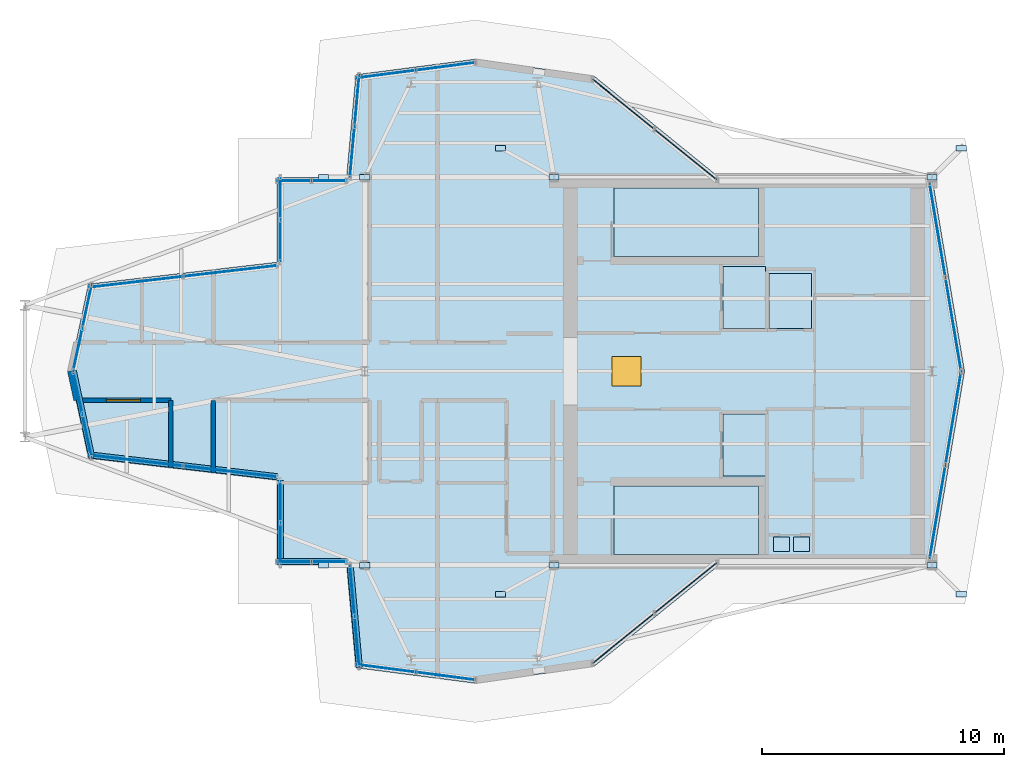
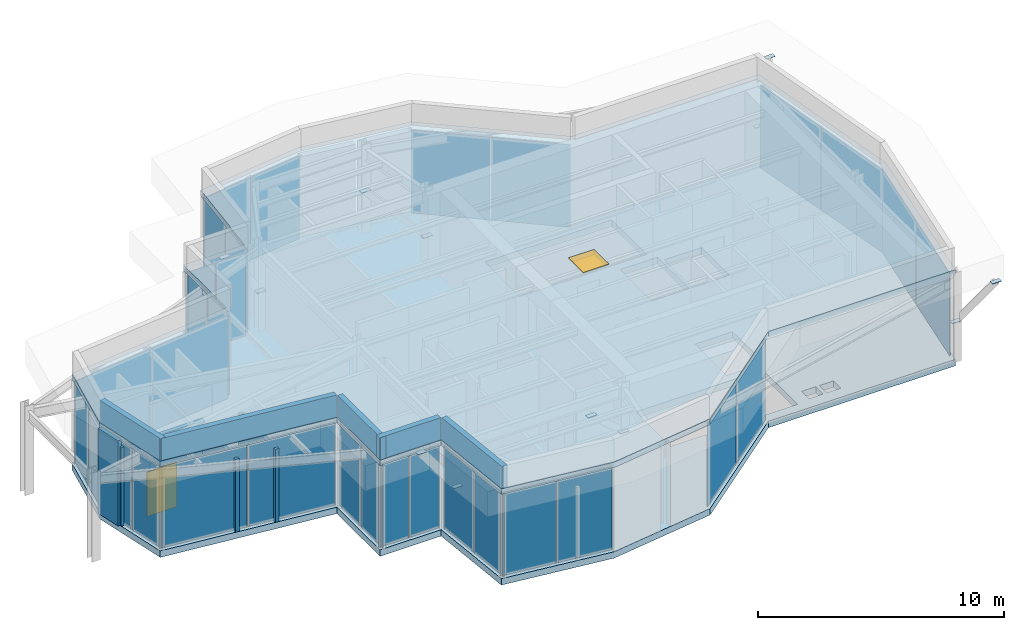
# One storey, part 8 of 11: 44 plates, 9 walls, 2 slabs, 1 door, 1 window, 2 openings, 16 elements without a shape of their own.
"""IFC4 building model written with IfcOpenShell, lengths in metres."""

from ifc_helpers import new_model, si_unit, direction, frame, frame_2d, origin, origin_2d, place, context, subcontext, project, spatial, polyline, rectangle, outline, extrude, material, layer, layer_set, type_object, element, fill, aggregate, save


model = new_model("IFC4")

# Units and contexts
model_context = context("Model", 3, precision=1e-05, world=origin(), true_north=direction((0.0, 1.0)))
body_context = subcontext(model_context, "Body", "Model", "MODEL_VIEW")
ifc_project = project(units=[si_unit("LENGTHUNIT", "METRE"), si_unit("AREAUNIT", "SQUARE_METRE"), si_unit("VOLUMEUNIT", "CUBIC_METRE"), si_unit("PLANEANGLEUNIT", "RADIAN"), si_unit("MASSUNIT", "GRAM", prefix="KILO")], contexts=[model_context])

# Site, building, storey
site_placement = place(None, origin())
site = spatial("IfcSite", under=ifc_project, at=site_placement, CompositionType="ELEMENT")
building_placement = place(site_placement, origin())
building = spatial("IfcBuilding", under=site, at=building_placement, Name="Veymaron Broadcast Tower", CompositionType="ELEMENT")
storey_placement = place(building_placement, frame((0.0, 0.0, 336.89990234375)))
storey = spatial("IfcBuildingStorey", under=building, at=storey_placement, Name="L79", CompositionType="ELEMENT", Elevation=336.89990234375)

# Curtain wall, plates
ifc_material_1 = material(Name="Anodised aluminium AA 6063-T6 and laminated low-E dark glass", Category="aluminium")
ifc_layer_1 = layer(ifc_material_1, 0.179931640625)
ifc_layer_set_1 = layer_set([ifc_layer_1], Name="Anodised aluminium AA 6063-T6 and laminated low-E dark glass")
curtain_wall_type = type_object("IfcCurtainWallType", Name="CW-SYS-07", PredefinedType="NOTDEFINED", material=ifc_layer_set_1)
curtain_wall_1_placement = place(storey_placement, origin())
curtain_wall_1 = element("IfcCurtainWall", 1, at=curtain_wall_1_placement, inside=storey, type_object=curtain_wall_type, Name="L79 dark-glass curtain wall CW-L79-E2-1", PredefinedType="NOTDEFINED")
ifc_material_2 = material(Name="Triple-laminated solar-control dark glass IGU 36 mm", Category="glass")
ifc_layer_2 = layer(ifc_material_2, 0.035888671875)
ifc_layer_set_2 = layer_set([ifc_layer_2], Name="Triple-laminated solar-control dark glass IGU 36 mm")
plate_type_1 = type_object("IfcPlateType", Name="CW-PNL-01", PredefinedType="CURTAIN_PANEL", material=ifc_layer_set_2)
plate_1_placement = place(storey_placement, frame((54.82666015625, 18.193603515625, 0.0400390625), z_axis=(0.0, 0.0, 1.0), x_axis=(0.165667274761, 0.98618170439, 0.0)))
plate_1 = element("IfcPlate", 2, at=plate_1_placement, type_object=plate_type_1, Name="CW-L79-E2-1 unitised curtain panel 0", PredefinedType="CURTAIN_PANEL", context=body_context, shape_type="SweptSolid", body=[
    extrude(rectangle(XDim=3.880859375, YDim=0.035888671875, at=origin_2d()), origin(), (0.0, 0.0, 1.0), 4.090087890625),
])
plate_2_placement = place(storey_placement, frame((55.4794921875, 22.080078125, 0.0400390625), z_axis=(0.0, 0.0, 1.0), x_axis=(0.165667274761, 0.98618170439, 0.0)))
plate_2 = element("IfcPlate", 3, at=plate_2_placement, type_object=plate_type_1, Name="CW-L79-E2-1 unitised curtain panel 1", PredefinedType="CURTAIN_PANEL", context=body_context, shape_type="SweptSolid", body=[
    extrude(rectangle(XDim=3.880859375, YDim=0.035888671875, at=origin_2d()), origin(), (0.0, 0.0, 1.0), 4.090087890625),
])
aggregate(curtain_wall_1, [plate_1, plate_2])

curtain_wall_2_placement = place(storey_placement, origin())
curtain_wall_2 = element("IfcCurtainWall", 4, at=curtain_wall_2_placement, inside=storey, type_object=curtain_wall_type, Name="L79 dark-glass curtain wall CW-L79-E3-1", PredefinedType="NOTDEFINED")
plate_3_placement = place(storey_placement, frame((55.4794921875, 25.919921875, 0.0400390625), z_axis=(0.0, 0.0, 1.0), x_axis=(-0.165667274761, 0.98618170439, 0.0)))
plate_3 = element("IfcPlate", 5, at=plate_3_placement, type_object=plate_type_1, Name="CW-L79-E3-1 unitised curtain panel 0", PredefinedType="CURTAIN_PANEL", context=body_context, shape_type="SweptSolid", body=[
    extrude(rectangle(XDim=3.880859375, YDim=0.035888671875, at=origin_2d()), origin(), (0.0, 0.0, 1.0), 4.090087890625),
])
plate_4_placement = place(storey_placement, frame((54.82666015625, 29.806396484375, 0.0400390625), z_axis=(0.0, 0.0, 1.0), x_axis=(-0.165667274761, 0.98618170439, 0.0)))
plate_4 = element("IfcPlate", 6, at=plate_4_placement, type_object=plate_type_1, Name="CW-L79-E3-1 unitised curtain panel 1", PredefinedType="CURTAIN_PANEL", context=body_context, shape_type="SweptSolid", body=[
    extrude(rectangle(XDim=3.880859375, YDim=0.035888671875, at=origin_2d()), origin(), (0.0, 0.0, 1.0), 4.090087890625),
])
aggregate(curtain_wall_2, [plate_3, plate_4])

curtain_wall_3_placement = place(storey_placement, origin())
curtain_wall_3 = element("IfcCurtainWall", 7, at=curtain_wall_3_placement, inside=storey, type_object=curtain_wall_type, Name="L79 dark-glass curtain wall CW-L79-E5-1", PredefinedType="NOTDEFINED")
plate_5_placement = place(storey_placement, frame((44.439453125, 32.93310546875, 0.0400390625), z_axis=(0.0, 0.0, 1.0), x_axis=(-0.776816343556, 0.629727217439, 0.0)))
plate_5 = element("IfcPlate", 8, at=plate_5_placement, type_object=plate_type_1, Name="CW-L79-E5-1 unitised curtain panel 0", PredefinedType="CURTAIN_PANEL", context=body_context, shape_type="SweptSolid", body=[
    extrude(rectangle(XDim=3.24951171875, YDim=0.035888671875, at=origin_2d()), origin(), (0.0, 0.0, 1.0), 4.090087890625),
])
plate_6_placement = place(storey_placement, frame((41.868896484375, 35.01708984375, 0.0400390625), z_axis=(0.0, 0.0, 1.0), x_axis=(-0.776816343556, 0.629727217439, 0.0)))
plate_6 = element("IfcPlate", 9, at=plate_6_placement, type_object=plate_type_1, Name="CW-L79-E5-1 unitised curtain panel 1", PredefinedType="CURTAIN_PANEL", context=body_context, shape_type="SweptSolid", body=[
    extrude(rectangle(XDim=3.24951171875, YDim=0.035888671875, at=origin_2d()), origin(), (0.0, 0.0, 1.0), 4.090087890625),
])
aggregate(curtain_wall_3, [plate_5, plate_6])

curtain_wall_4_placement = place(storey_placement, origin())
curtain_wall_4 = element("IfcCurtainWall", 10, at=curtain_wall_4_placement, inside=storey, type_object=curtain_wall_type, Name="L79 dark-glass curtain wall CW-L79-E7-1", PredefinedType="NOTDEFINED")
plate_7_placement = place(storey_placement, frame((34.540283203125, 36.5732421875, 0.0400390625), z_axis=(0.0, 0.0, 1.0), x_axis=(-0.991644165747, -0.129003288874, 0.0)))
plate_7 = element("IfcPlate", 11, at=plate_7_placement, type_object=plate_type_1, Name="CW-L79-E7-1 unitised curtain panel 0", PredefinedType="CURTAIN_PANEL", context=body_context, shape_type="SweptSolid", body=[
    extrude(rectangle(XDim=2.42041015625, YDim=0.035888671875, at=origin_2d()), origin(), (0.0, 0.0, 1.0), 4.090087890625),
])
plate_8_placement = place(storey_placement, frame((32.080322265625, 36.253173828125, 0.0400390625), z_axis=(0.0, 0.0, 1.0), x_axis=(-0.991644165747, -0.129003288874, 0.0)))
plate_8 = element("IfcPlate", 12, at=plate_8_placement, type_object=plate_type_1, Name="CW-L79-E7-1 unitised curtain panel 1", PredefinedType="CURTAIN_PANEL", context=body_context, shape_type="SweptSolid", body=[
    extrude(rectangle(XDim=2.42041015625, YDim=0.035888671875, at=origin_2d()), origin(), (0.0, 0.0, 1.0), 4.090087890625),
])
aggregate(curtain_wall_4, [plate_7, plate_8])

curtain_wall_5_placement = place(storey_placement, origin())
curtain_wall_5 = element("IfcCurtainWall", 13, at=curtain_wall_5_placement, inside=storey, type_object=curtain_wall_type, Name="L79 dark-glass curtain wall CW-L79-E8-1", PredefinedType="NOTDEFINED")
plate_9_placement = place(storey_placement, frame((30.8759765625, 35.161376953125, 0.0400390625), z_axis=(0.0, 0.0, 1.0), x_axis=(-0.090319709419, -0.995912822535, 0.0)))
plate_9 = element("IfcPlate", 14, at=plate_9_placement, type_object=plate_type_1, Name="CW-L79-E8-1 unitised curtain panel 0", PredefinedType="CURTAIN_PANEL", context=body_context, shape_type="SweptSolid", body=[
    extrude(rectangle(XDim=2.064697265625, YDim=0.035888671875, at=origin_2d()), origin(), (0.0, 0.0, 1.0), 4.090087890625),
])
plate_10_placement = place(storey_placement, frame((30.68408203125, 33.04541015625, 0.0400390625), z_axis=(0.0, 0.0, 1.0), x_axis=(-0.090319709419, -0.995912822535, 0.0)))
plate_10 = element("IfcPlate", 15, at=plate_10_placement, type_object=plate_type_1, Name="CW-L79-E8-1 unitised curtain panel 1", PredefinedType="CURTAIN_PANEL", context=body_context, shape_type="SweptSolid", body=[
    extrude(rectangle(XDim=2.064697265625, YDim=0.035888671875, at=origin_2d()), origin(), (0.0, 0.0, 1.0), 4.090087890625),
])
aggregate(curtain_wall_5, [plate_9, plate_10])

curtain_wall_6_placement = place(storey_placement, origin())
curtain_wall_6 = element("IfcCurtainWall", 16, at=curtain_wall_6_placement, inside=storey, type_object=curtain_wall_type, Name="L79 dark-glass curtain wall CW-L79-E9-1", PredefinedType="NOTDEFINED")
plate_11_placement = place(storey_placement, frame((29.73046875, 31.860107421875, 0.0400390625), z_axis=(0.0, 0.0, 1.0), x_axis=(-1.0, 0.0, 0.0)))
plate_11 = element("IfcPlate", 17, at=plate_11_placement, type_object=plate_type_1, Name="CW-L79-E9-1 unitised curtain panel 0", PredefinedType="CURTAIN_PANEL", context=body_context, shape_type="SweptSolid", body=[
    extrude(rectangle(XDim=1.376220703125, YDim=0.035888671875, at=origin_2d()), origin(), (0.0, 0.0, 1.0), 4.090087890625),
])
plate_12_placement = place(storey_placement, frame((28.294189453125, 31.860107421875, 0.0400390625), z_axis=(0.0, 0.0, 1.0), x_axis=(-1.0, 0.0, 0.0)))
plate_12 = element("IfcPlate", 18, at=plate_12_placement, type_object=plate_type_1, Name="CW-L79-E9-1 unitised curtain panel 1", PredefinedType="CURTAIN_PANEL", context=body_context, shape_type="SweptSolid", body=[
    extrude(rectangle(XDim=1.376220703125, YDim=0.035888671875, at=origin_2d()), origin(), (0.0, 0.0, 1.0), 4.090087890625),
])
aggregate(curtain_wall_6, [plate_11, plate_12])

curtain_wall_7_placement = place(storey_placement, origin())
curtain_wall_7 = element("IfcCurtainWall", 19, at=curtain_wall_7_placement, inside=storey, type_object=curtain_wall_type, Name="L79 dark-glass curtain wall CW-L79-E10-1", PredefinedType="NOTDEFINED")
plate_13_placement = place(storey_placement, frame((27.716064453125, 31.12451171875, 0.0400390625), z_axis=(0.0, 0.0, 1.0), x_axis=(0.0, -1.0, 0.0)))
plate_13 = element("IfcPlate", 20, at=plate_13_placement, type_object=plate_type_1, Name="CW-L79-E10-1 unitised curtain panel 0", PredefinedType="CURTAIN_PANEL", context=body_context, shape_type="SweptSolid", body=[
    extrude(rectangle(XDim=1.69091796875, YDim=0.035888671875, at=origin_2d()), origin(), (0.0, 0.0, 1.0), 4.090087890625),
])
plate_14_placement = place(storey_placement, frame((27.716064453125, 29.37353515625, 0.0400390625), z_axis=(0.0, 0.0, 1.0), x_axis=(0.0, -1.0, 0.0)))
plate_14 = element("IfcPlate", 21, at=plate_14_placement, type_object=plate_type_1, Name="CW-L79-E10-1 unitised curtain panel 1", PredefinedType="CURTAIN_PANEL", context=body_context, shape_type="SweptSolid", body=[
    extrude(rectangle(XDim=1.69091796875, YDim=0.035888671875, at=origin_2d()), origin(), (0.0, 0.0, 1.0), 4.090087890625),
])
aggregate(curtain_wall_7, [plate_13, plate_14])

curtain_wall_8_placement = place(storey_placement, origin())
curtain_wall_8 = element("IfcCurtainWall", 22, at=curtain_wall_8_placement, inside=storey, type_object=curtain_wall_type, Name="L79 dark-glass curtain wall CW-L79-E11-1", PredefinedType="NOTDEFINED")
plate_15_placement = place(storey_placement, frame((25.648193359375, 28.13330078125, 0.0400390625), z_axis=(0.0, 0.0, 1.0), x_axis=(-0.993324533692, -0.115353243408, 0.0)))
plate_15 = element("IfcPlate", 23, at=plate_15_placement, type_object=plate_type_1, Name="CW-L79-E11-1 unitised curtain panel 0", PredefinedType="CURTAIN_PANEL", context=body_context, shape_type="SweptSolid", body=[
    extrude(rectangle(XDim=3.85400390625, YDim=0.035888671875, at=origin_2d()), origin(), (0.0, 0.0, 1.0), 4.090087890625),
])
plate_16_placement = place(storey_placement, frame((21.760009765625, 27.681884765625, 0.0400390625), z_axis=(0.0, 0.0, 1.0), x_axis=(-0.993324533692, -0.115353243408, 0.0)))
plate_16 = element("IfcPlate", 24, at=plate_16_placement, type_object=plate_type_1, Name="CW-L79-E11-1 unitised curtain panel 1", PredefinedType="CURTAIN_PANEL", context=body_context, shape_type="SweptSolid", body=[
    extrude(rectangle(XDim=3.85400390625, YDim=0.035888671875, at=origin_2d()), origin(), (0.0, 0.0, 1.0), 4.090087890625),
])
aggregate(curtain_wall_8, [plate_15, plate_16])

curtain_wall_9_placement = place(storey_placement, origin())
curtain_wall_9 = element("IfcCurtainWall", 25, at=curtain_wall_9_placement, inside=storey, type_object=curtain_wall_type, Name="L79 dark-glass curtain wall CW-L79-E12-1", PredefinedType="NOTDEFINED")
plate_17_placement = place(storey_placement, frame((19.744873046875, 26.6669921875, 0.0400390625), z_axis=(0.0, 0.0, 1.0), x_axis=(-0.208918822284, -0.977932986301, 0.0)))
plate_17 = element("IfcPlate", 26, at=plate_17_placement, type_object=plate_type_1, Name="CW-L79-E12-1 unitised curtain panel 0", PredefinedType="CURTAIN_PANEL", context=body_context, shape_type="SweptSolid", body=[
    extrude(rectangle(XDim=1.778076171875, YDim=0.035888671875, at=origin_2d()), origin(), (0.0, 0.0, 1.0), 4.090087890625),
])
plate_18_placement = place(storey_placement, frame((19.36083984375, 24.86962890625, 0.0400390625), z_axis=(0.0, 0.0, 1.0), x_axis=(-0.208918822284, -0.977932986301, 0.0)))
plate_18 = element("IfcPlate", 27, at=plate_18_placement, type_object=plate_type_1, Name="CW-L79-E12-1 unitised curtain panel 1", PredefinedType="CURTAIN_PANEL", context=body_context, shape_type="SweptSolid", body=[
    extrude(rectangle(XDim=1.778076171875, YDim=0.035888671875, at=origin_2d()), origin(), (0.0, 0.0, 1.0), 4.090087890625),
])
aggregate(curtain_wall_9, [plate_17, plate_18])

curtain_wall_10_placement = place(storey_placement, origin())
curtain_wall_10 = element("IfcCurtainWall", 28, at=curtain_wall_10_placement, inside=storey, type_object=curtain_wall_type, Name="L79 dark-glass curtain wall CW-L79-E13-1", PredefinedType="NOTDEFINED")
plate_19_placement = place(storey_placement, frame((19.36083984375, 23.13037109375, 0.0400390625), z_axis=(0.0, 0.0, 1.0), x_axis=(0.208918822284, -0.977932986301, 0.0)))
plate_19 = element("IfcPlate", 29, at=plate_19_placement, type_object=plate_type_1, Name="CW-L79-E13-1 unitised curtain panel 0", PredefinedType="CURTAIN_PANEL", context=body_context, shape_type="SweptSolid", body=[
    extrude(rectangle(XDim=1.778076171875, YDim=0.035888671875, at=origin_2d()), origin(), (0.0, 0.0, 1.0), 4.090087890625),
])
plate_20_placement = place(storey_placement, frame((19.744873046875, 21.3330078125, 0.0400390625), z_axis=(0.0, 0.0, 1.0), x_axis=(0.208918822284, -0.977932986301, 0.0)))
plate_20 = element("IfcPlate", 30, at=plate_20_placement, type_object=plate_type_1, Name="CW-L79-E13-1 unitised curtain panel 1", PredefinedType="CURTAIN_PANEL", context=body_context, shape_type="SweptSolid", body=[
    extrude(rectangle(XDim=1.778076171875, YDim=0.035888671875, at=origin_2d()), origin(), (0.0, 0.0, 1.0), 4.090087890625),
])
aggregate(curtain_wall_10, [plate_19, plate_20])

curtain_wall_11_placement = place(storey_placement, origin())
curtain_wall_11 = element("IfcCurtainWall", 31, at=curtain_wall_11_placement, inside=storey, type_object=curtain_wall_type, Name="L79 dark-glass curtain wall CW-L79-E14-1", PredefinedType="NOTDEFINED")
plate_21_placement = place(storey_placement, frame((21.760009765625, 20.318115234375, 0.0400390625), z_axis=(0.0, 0.0, 1.0), x_axis=(0.993324533692, -0.115353243408, 0.0)))
plate_21 = element("IfcPlate", 32, at=plate_21_placement, type_object=plate_type_1, Name="CW-L79-E14-1 unitised curtain panel 0", PredefinedType="CURTAIN_PANEL", context=body_context, shape_type="SweptSolid", body=[
    extrude(rectangle(XDim=3.85400390625, YDim=0.035888671875, at=origin_2d()), origin(), (0.0, 0.0, 1.0), 4.090087890625),
])
plate_22_placement = place(storey_placement, frame((25.648193359375, 19.86669921875, 0.0400390625), z_axis=(0.0, 0.0, 1.0), x_axis=(0.993324533692, -0.115353243408, 0.0)))
plate_22 = element("IfcPlate", 33, at=plate_22_placement, type_object=plate_type_1, Name="CW-L79-E14-1 unitised curtain panel 1", PredefinedType="CURTAIN_PANEL", context=body_context, shape_type="SweptSolid", body=[
    extrude(rectangle(XDim=3.85400390625, YDim=0.035888671875, at=origin_2d()), origin(), (0.0, 0.0, 1.0), 4.090087890625),
])
aggregate(curtain_wall_11, [plate_21, plate_22])

curtain_wall_12_placement = place(storey_placement, origin())
curtain_wall_12 = element("IfcCurtainWall", 34, at=curtain_wall_12_placement, inside=storey, type_object=curtain_wall_type, Name="L79 dark-glass curtain wall CW-L79-E15-1", PredefinedType="NOTDEFINED")
plate_23_placement = place(storey_placement, frame((27.716064453125, 18.62646484375, 0.0400390625), z_axis=(0.0, 0.0, 1.0), x_axis=(0.0, -1.0, 0.0)))
plate_23 = element("IfcPlate", 35, at=plate_23_placement, type_object=plate_type_1, Name="CW-L79-E15-1 unitised curtain panel 0", PredefinedType="CURTAIN_PANEL", context=body_context, shape_type="SweptSolid", body=[
    extrude(rectangle(XDim=1.69091796875, YDim=0.035888671875, at=origin_2d()), origin(), (0.0, 0.0, 1.0), 4.090087890625),
])
plate_24_placement = place(storey_placement, frame((27.716064453125, 16.87548828125, 0.0400390625), z_axis=(0.0, 0.0, 1.0), x_axis=(0.0, -1.0, 0.0)))
plate_24 = element("IfcPlate", 36, at=plate_24_placement, type_object=plate_type_1, Name="CW-L79-E15-1 unitised curtain panel 1", PredefinedType="CURTAIN_PANEL", context=body_context, shape_type="SweptSolid", body=[
    extrude(rectangle(XDim=1.69091796875, YDim=0.035888671875, at=origin_2d()), origin(), (0.0, 0.0, 1.0), 4.090087890625),
])
aggregate(curtain_wall_12, [plate_23, plate_24])

curtain_wall_13_placement = place(storey_placement, origin())
curtain_wall_13 = element("IfcCurtainWall", 37, at=curtain_wall_13_placement, inside=storey, type_object=curtain_wall_type, Name="L79 dark-glass curtain wall CW-L79-E16-1", PredefinedType="NOTDEFINED")
plate_25_placement = place(storey_placement, frame((28.294189453125, 16.139892578125, 0.0400390625), z_axis=(0.0, 0.0, 1.0), x_axis=(1.0, 0.0, 0.0)))
plate_25 = element("IfcPlate", 38, at=plate_25_placement, type_object=plate_type_1, Name="CW-L79-E16-1 unitised curtain panel 0", PredefinedType="CURTAIN_PANEL", context=body_context, shape_type="SweptSolid", body=[
    extrude(rectangle(XDim=1.376220703125, YDim=0.035888671875, at=origin_2d()), origin(), (0.0, 0.0, 1.0), 4.090087890625),
])
plate_26_placement = place(storey_placement, frame((29.73046875, 16.139892578125, 0.0400390625), z_axis=(0.0, 0.0, 1.0), x_axis=(1.0, 0.0, 0.0)))
plate_26 = element("IfcPlate", 39, at=plate_26_placement, type_object=plate_type_1, Name="CW-L79-E16-1 unitised curtain panel 1", PredefinedType="CURTAIN_PANEL", context=body_context, shape_type="SweptSolid", body=[
    extrude(rectangle(XDim=1.376220703125, YDim=0.035888671875, at=origin_2d()), origin(), (0.0, 0.0, 1.0), 4.090087890625),
])
aggregate(curtain_wall_13, [plate_25, plate_26])

curtain_wall_14_placement = place(storey_placement, origin())
curtain_wall_14 = element("IfcCurtainWall", 40, at=curtain_wall_14_placement, inside=storey, type_object=curtain_wall_type, Name="L79 dark-glass curtain wall CW-L79-E17-1", PredefinedType="NOTDEFINED")
plate_27_placement = place(storey_placement, frame((30.683837890625, 14.95458984375, 0.0400390625), z_axis=(0.0, 0.0, 1.0), x_axis=(0.090319709419, -0.995912822535, 0.0)))
plate_27 = element("IfcPlate", 41, at=plate_27_placement, type_object=plate_type_1, Name="CW-L79-E17-1 unitised curtain panel 0", PredefinedType="CURTAIN_PANEL", context=body_context, shape_type="SweptSolid", body=[
    extrude(rectangle(XDim=2.064697265625, YDim=0.035888671875, at=origin_2d()), origin(), (0.0, 0.0, 1.0), 4.090087890625),
])
plate_28_placement = place(storey_placement, frame((30.875732421875, 12.838623046875, 0.0400390625), z_axis=(0.0, 0.0, 1.0), x_axis=(0.090319709419, -0.995912822535, 0.0)))
plate_28 = element("IfcPlate", 42, at=plate_28_placement, type_object=plate_type_1, Name="CW-L79-E17-1 unitised curtain panel 1", PredefinedType="CURTAIN_PANEL", context=body_context, shape_type="SweptSolid", body=[
    extrude(rectangle(XDim=2.064697265625, YDim=0.035888671875, at=origin_2d()), origin(), (0.0, 0.0, 1.0), 4.090087890625),
])
aggregate(curtain_wall_14, [plate_27, plate_28])

curtain_wall_15_placement = place(storey_placement, origin())
curtain_wall_15 = element("IfcCurtainWall", 43, at=curtain_wall_15_placement, inside=storey, type_object=curtain_wall_type, Name="L79 dark-glass curtain wall CW-L79-E18-1", PredefinedType="NOTDEFINED")
plate_29_placement = place(storey_placement, frame((32.080322265625, 11.746826171875, 0.0400390625), z_axis=(0.0, 0.0, 1.0), x_axis=(0.991644165747, -0.129003288874, 0.0)))
plate_29 = element("IfcPlate", 44, at=plate_29_placement, type_object=plate_type_1, Name="CW-L79-E18-1 unitised curtain panel 0", PredefinedType="CURTAIN_PANEL", context=body_context, shape_type="SweptSolid", body=[
    extrude(rectangle(XDim=2.42041015625, YDim=0.035888671875, at=origin_2d()), origin(), (0.0, 0.0, 1.0), 4.090087890625),
])
plate_30_placement = place(storey_placement, frame((34.540283203125, 11.4267578125, 0.0400390625), z_axis=(0.0, 0.0, 1.0), x_axis=(0.991644165747, -0.129003288874, 0.0)))
plate_30 = element("IfcPlate", 45, at=plate_30_placement, type_object=plate_type_1, Name="CW-L79-E18-1 unitised curtain panel 1", PredefinedType="CURTAIN_PANEL", context=body_context, shape_type="SweptSolid", body=[
    extrude(rectangle(XDim=2.42041015625, YDim=0.035888671875, at=origin_2d()), origin(), (0.0, 0.0, 1.0), 4.090087890625),
])
aggregate(curtain_wall_15, [plate_29, plate_30])

curtain_wall_16_placement = place(storey_placement, origin())
curtain_wall_16 = element("IfcCurtainWall", 46, at=curtain_wall_16_placement, inside=storey, type_object=curtain_wall_type, Name="L79 dark-glass curtain wall CW-L79-E20-1", PredefinedType="NOTDEFINED")
plate_31_placement = place(storey_placement, frame((41.868896484375, 12.98291015625, 0.0400390625), z_axis=(0.0, 0.0, 1.0), x_axis=(0.776816343556, 0.629727217439, 0.0)))
plate_31 = element("IfcPlate", 47, at=plate_31_placement, type_object=plate_type_1, Name="CW-L79-E20-1 unitised curtain panel 0", PredefinedType="CURTAIN_PANEL", context=body_context, shape_type="SweptSolid", body=[
    extrude(rectangle(XDim=3.24951171875, YDim=0.035888671875, at=origin_2d()), origin(), (0.0, 0.0, 1.0), 4.090087890625),
])
plate_32_placement = place(storey_placement, frame((44.439453125, 15.06689453125, 0.0400390625), z_axis=(0.0, 0.0, 1.0), x_axis=(0.776816343556, 0.629727217439, 0.0)))
plate_32 = element("IfcPlate", 48, at=plate_32_placement, type_object=plate_type_1, Name="CW-L79-E20-1 unitised curtain panel 1", PredefinedType="CURTAIN_PANEL", context=body_context, shape_type="SweptSolid", body=[
    extrude(rectangle(XDim=3.24951171875, YDim=0.035888671875, at=origin_2d()), origin(), (0.0, 0.0, 1.0), 4.090087890625),
])
aggregate(curtain_wall_16, [plate_31, plate_32])

# Plates
ifc_material_3 = material(Name="Structural steel ASTM A992 Gr 50", Category="steel")
ifc_layer_3 = layer(ifc_material_3, 0.02001953125)
ifc_layer_set_3 = layer_set([ifc_layer_3], Name="Structural steel ASTM A992 Gr 50")
plate_type_2 = type_object("IfcPlateType", Name="PLT-CAP-RHS1", PredefinedType="SHEET", material=ifc_layer_set_3)
for number, where, z_axis, x_axis, name in (
    (49, (39.0, 16.0, 1.89013671875), (0.0, 0.0, 1.0), (1.0, 0.0, 0.0), "L79 Crown Strut End Cap 1B"),
    (50, (36.800048828125, 14.800048828125, 4.170166015625), (0.0, 0.0, 1.0), (1.0, 0.0, 0.0), "L79 Crown Strut End Cap 1T"),
    (51, (39.0, 32.0, 1.89013671875), (0.0, 0.0, 1.0), (1.0, 0.0, 0.0), "L79 Crown Strut End Cap 2B"),
    (52, (36.800048828125, 33.199951171875, 4.170166015625), (0.0, 0.0, 1.0), (1.0, 0.0, 0.0), "L79 Crown Strut End Cap 2T"),
    (53, (54.60009765625, 16.0, 1.89013671875), (0.0, 0.0, 1.0), (1.0, 0.0, 0.0), "L79 Crown Strut End Cap 3B"),
    (54, (55.800048828125, 14.800048828125, 4.170166015625), (0.0, 0.0, 1.0), (1.0, 0.0, 0.0), "L79 Crown Strut End Cap 3T"),
    (55, (54.60009765625, 32.0, 1.89013671875), (0.0, 0.0, 1.0), (1.0, 0.0, 0.0), "L79 Crown Strut End Cap 4B"),
    (56, (55.800048828125, 33.199951171875, 4.170166015625), (0.0, 0.0, 1.0), (1.0, 0.0, 0.0), "L79 Crown Strut End Cap 4T"),
    (57, (31.199951171875, 16.0, 1.89013671875), (0.0, 0.0, 1.0), (1.0, 0.0, 0.0), "L79 Crown Strut End Cap 5B"),
    (58, (29.5, 16.0, 4.170166015625), (0.0, 0.0, 1.0), (1.0, 0.0, 0.0), "L79 Crown Strut End Cap 5T"),
    (59, (31.199951171875, 32.0, 1.89013671875), (0.0, 0.0, 1.0), (1.0, 0.0, 0.0), "L79 Crown Strut End Cap 6B"),
    (60, (29.5, 32.0, 4.170166015625), (0.0, 0.0, 1.0), (1.0, 0.0, 0.0), "L79 Crown Strut End Cap 6T"),
):
    element("IfcPlate", number, at=place(storey_placement, frame(where, z_axis=z_axis, x_axis=x_axis)), inside=storey, type_object=plate_type_2, Name=name, PredefinedType="SHEET", context=body_context, shape_type="SweptSolid", body=[
        extrude(rectangle(XDim=0.419921875, YDim=0.219970703125, at=origin_2d()), origin(), (0.0, 0.0, 1.0), 0.02001953125),
    ])

# Slab
ifc_material_4 = material(Name="Concrete C40/50", Category="concrete")
ifc_layer_4 = layer(ifc_material_4, 0.320068359375)
ifc_layer_set_4 = layer_set([ifc_layer_4], Name="Concrete C40/50")
slab_type = type_object("IfcSlabType", Name="SLAB-FS2", PredefinedType="FLOOR", material=ifc_layer_set_4)
slab_1_placement = place(storey_placement, frame((0.0, 0.0, -0.31982421875)))
element("IfcSlab", 61, at=slab_1_placement, inside=storey, type_object=slab_type, Name="L79 structural floor slab", PredefinedType="FLOOR", context=body_context, shape_type="SweptSolid", body=[
    extrude(outline(polyline([(45.81298828125, 16.0), (54.60009765625, 16.0), (55.944091796875, 24.0), (54.60009765625, 32.0), (45.81298828125, 32.0), (40.671630859375, 36.16796875), (35.751953125, 36.8720703125), (30.83251953125, 36.23193359375), (30.448486328125, 32.0), (27.575927734375, 32.0), (27.575927734375, 28.498046875), (19.800048828125, 27.59521484375), (19.031982421875, 24.0), (19.800048828125, 20.40478515625), (27.575927734375, 19.501953125), (27.575927734375, 16.0), (30.448486328125, 16.0), (30.83251953125, 11.76806640625), (35.751953125, 11.1279296875), (40.671630859375, 11.83203125), (45.81298828125, 16.0)]), holes=[polyline([(45.969970703125, 28.330078125), (47.72998046875, 28.330078125), (47.72998046875, 25.77001953125), (45.969970703125, 25.77001953125), (45.969970703125, 28.330078125)]), polyline([(45.969970703125, 22.22998046875), (47.72998046875, 22.22998046875), (47.72998046875, 19.669921875), (45.969970703125, 19.669921875), (45.969970703125, 22.22998046875)]), polyline([(47.8701171875, 28.030029296875), (49.6298828125, 28.030029296875), (49.6298828125, 25.77001953125), (47.8701171875, 25.77001953125), (47.8701171875, 28.030029296875)]), polyline([(48.050048828125, 17.159912109375), (48.719970703125, 17.159912109375), (48.719970703125, 16.56005859375), (48.050048828125, 16.56005859375), (48.050048828125, 17.159912109375)]), polyline([(48.8798828125, 17.159912109375), (49.550048828125, 17.159912109375), (49.550048828125, 16.56005859375), (48.8798828125, 16.56005859375), (48.8798828125, 17.159912109375)]), polyline([(41.489990234375, 31.550048828125), (47.43994140625, 31.550048828125), (47.43994140625, 28.72998046875), (41.489990234375, 28.72998046875), (41.489990234375, 31.550048828125)]), polyline([(41.489990234375, 19.27001953125), (47.43994140625, 19.27001953125), (47.43994140625, 16.449951171875), (41.489990234375, 16.449951171875), (41.489990234375, 19.27001953125)])]), origin(), (0.0, 0.0, 1.0), 0.31982421875),
])

# Slab, opening, window
slab_2_placement = place(storey_placement, frame((0.0, 0.0, 4.170166015625)))
slab_2 = element("IfcSlab", 62, at=slab_2_placement, inside=storey, type_object=slab_type, Name="L79 crown structural roof slab", PredefinedType="FLOOR", context=body_context, shape_type="SweptSolid", body=[
    extrude(outline(polyline([(45.81298828125, 16.0), (54.60009765625, 16.0), (55.944091796875, 24.0), (54.60009765625, 32.0), (45.81298828125, 32.0), (40.671630859375, 36.16796875), (35.751953125, 36.8720703125), (30.83251953125, 36.23193359375), (30.448486328125, 32.0), (27.575927734375, 32.0), (27.575927734375, 28.498046875), (19.800048828125, 27.59521484375), (19.031982421875, 24.0), (19.800048828125, 20.40478515625), (27.575927734375, 19.501953125), (27.575927734375, 16.0), (30.448486328125, 16.0), (30.83251953125, 11.76806640625), (35.751953125, 11.1279296875), (40.671630859375, 11.83203125), (45.81298828125, 16.0)])), origin(), (0.0, 0.0, 1.0), 0.280029296875),
])
opening_1_placement = place(slab_2_placement, frame((42.0, 24.0, -0.010009765625)))
opening_1 = element("IfcOpeningElement", 63, at=opening_1_placement, cuts=slab_2, Name="Opening RH1", PredefinedType="OPENING", context=body_context, shape_type="SweptSolid", body=[
    extrude(rectangle(XDim=1.199951171875, YDim=1.199951171875, at=origin_2d()), origin(), (0.0, 0.0, 1.0), 0.300048828125),
])
ifc_material_5 = material(Name="Thermally broken powder-coated aluminium roof hatch", Category="aluminium")
window_type = type_object("IfcWindowType", Name="WIN-HATCH-1200", PartitioningType="SINGLE_PANEL", PredefinedType="SKYLIGHT", material=ifc_material_5)
window_placement = place(slab_2_placement, frame((42.0, 24.0, 0.22998046875)))
window = element("IfcWindow", 64, at=window_placement, inside=storey, type_object=window_type, Name="L79 crown roof maintenance access hatch RH1", OverallHeight=1.199951171875, OverallWidth=1.199951171875, PartitioningType="SINGLE_PANEL", PredefinedType="SKYLIGHT", context=body_context, shape_type="SweptSolid", body=[
    extrude(rectangle(XDim=1.199951171875, YDim=1.199951171875, at=origin_2d()), origin(), (0.0, 0.0, 1.0), 0.050048828125),
])
fill(opening_1, window)

# Wall, opening, door
ifc_layer_5 = layer(ifc_material_4, 0.179931640625)
ifc_layer_set_5 = layer_set([ifc_layer_5], Name="Concrete C40/50")
wall_type_1 = type_object("IfcWallType", Name="WALL-FIRE-180", PredefinedType="SOLIDWALL", material=ifc_layer_set_5)
wall_1_placement = place(storey_placement, frame((19.288330078125, 22.800048828125, 0.0), z_axis=(0.0, 0.0, 1.0), x_axis=(1.0, 0.0, 0.0)))
wall_1 = element("IfcWall", 65, at=wall_1_placement, inside=storey, type_object=wall_type_1, Name="L79 partition IW-L79-P12", PredefinedType="SOLIDWALL", context=body_context, shape_type="SweptSolid", body=[
    extrude(rectangle(XDim=3.91162109375, YDim=0.179931640625, at=frame_2d((1.955810546875, 0.0))), origin(), (0.0, 0.0, 1.0), 3.900146484375),
])
opening_2_placement = place(wall_1_placement, frame((1.255859375, 0.0, 0.0)))
opening_2 = element("IfcOpeningElement", 66, at=opening_2_placement, cuts=wall_1, Name="Opening ID-PL1", PredefinedType="OPENING", context=body_context, shape_type="SweptSolid", body=[
    extrude(rectangle(XDim=1.39990234375, YDim=2.199951171875, at=frame_2d((0.699951171875, 1.10009765625))), frame((0.0, 0.10009765625, 0.0), z_axis=(0.0, -1.0, 0.0), x_axis=(1.0, 0.0, 0.0)), (0.0, 0.0, 1.0), 0.199951171875),
])
ifc_material_6 = material(Name="Heavy-duty acoustic galvanized steel", Category="steel")
door_type = type_object("IfcDoorType", Name="DOOR-PLANT-1400", OperationType="DOUBLE_DOOR_SINGLE_SWING", PredefinedType="DOOR", material=ifc_material_6)
door_placement = place(opening_2_placement, frame((1.39990234375, 0.0, 0.0), z_axis=(0.0, 0.0, 1.0), x_axis=(-1.0, 0.0, 0.0)))
door = element("IfcDoor", 67, at=door_placement, inside=storey, type_object=door_type, Name="L79 door DR-L79-P12", OperationType="SINGLE_SWING_LEFT", OverallHeight=2.199951171875, OverallWidth=1.39990234375, PredefinedType="DOOR", context=body_context, shape_type="SweptSolid", body=[
    extrude(rectangle(XDim=1.39990234375, YDim=2.199951171875, at=frame_2d((0.699951171875, 1.10009765625))), frame((0.0, 0.02490234375, 0.0), z_axis=(0.0, -1.0, 0.0), x_axis=(1.0, 0.0, 0.0)), (0.0, 0.0, 1.0), 0.050048828125),
])
fill(opening_2, door)

# Walls
wall_2_placement = place(storey_placement, frame((24.949951171875, 19.806884765625, 0.0), z_axis=(0.0, 0.0, 1.0), x_axis=(0.0, 1.0, 0.0)))
element("IfcWall", 68, at=wall_2_placement, inside=storey, type_object=wall_type_1, Name="L79 partition IW-L79-P11", PredefinedType="SOLIDWALL", context=body_context, shape_type="SweptSolid", body=[
    extrude(rectangle(XDim=2.9931640625, YDim=0.179931640625, at=frame_2d((1.49658203125, 0.0))), origin(), (0.0, 0.0, 1.0), 3.630126953125),
])
wall_3_placement = place(storey_placement, frame((23.199951171875, 20.010009765625, 0.0), z_axis=(0.0, 0.0, 1.0), x_axis=(0.0, 1.0, 0.0)))
element("IfcWall", 69, at=wall_3_placement, inside=storey, type_object=wall_type_1, Name="L79 partition IW-L79-P13", PredefinedType="SOLIDWALL", context=body_context, shape_type="SweptSolid", body=[
    extrude(rectangle(XDim=2.7900390625, YDim=0.179931640625, at=frame_2d((1.39501953125, 0.0))), origin(), (0.0, 0.0, 1.0), 3.630126953125),
])
wall_4_placement = place(storey_placement, frame((19.031982421875, 24.0, 0.0), z_axis=(0.0, 0.0, 1.0), x_axis=(0.208917581669, -0.977933251336, 0.0)))
element("IfcWall", 70, at=wall_4_placement, inside=storey, type_object=wall_type_1, Name="L79 partition IW-L79-P14", PredefinedType="SOLIDWALL", context=body_context, shape_type="SweptSolid", body=[
    extrude(rectangle(XDim=1.22705078125, YDim=0.179931640625, at=frame_2d((0.613525390625, 0.0))), origin(), (0.0, 0.0, 1.0), 4.22021484375),
])
ifc_material_7 = material(Name="Precast concrete C40/50", Category="concrete")
ifc_layer_6 = layer(ifc_material_7, 0.25)
ifc_layer_set_6 = layer_set([ifc_layer_6], Name="Precast concrete C40/50")
wall_type_2 = type_object("IfcWallType", Name="WALL-PAR-250", PredefinedType="PARAPET", material=ifc_layer_set_6)
wall_5_placement = place(storey_placement, frame((19.1787109375, 24.03125, 4.4501953125), z_axis=(0.0, 0.0, 1.0), x_axis=(0.208934897811, -0.977929551899, 0.0)))
element("IfcWall", 71, at=wall_5_placement, inside=storey, type_object=wall_type_2, Name="L79 crown roof parapet wall 13", PredefinedType="PARAPET", context=body_context, shape_type="SweptSolid", body=[
    extrude(rectangle(XDim=3.676025390625, YDim=0.25, at=frame_2d((1.837890625, 0.0))), origin(), (0.0, 0.0, 1.0), 1.099853515625),
])
wall_6_placement = place(storey_placement, frame((19.8173828125, 20.553955078125, 4.4501953125), z_axis=(0.0, 0.0, 1.0), x_axis=(0.993323430456, -0.115362743148, 0.0)))
element("IfcWall", 72, at=wall_6_placement, inside=storey, type_object=wall_type_2, Name="L79 crown roof parapet wall 14", PredefinedType="PARAPET", context=body_context, shape_type="SweptSolid", body=[
    extrude(rectangle(XDim=7.828125, YDim=0.25, at=frame_2d((3.9140625, 0.0))), origin(), (0.0, 0.0, 1.0), 1.099853515625),
])
wall_7_placement = place(storey_placement, frame((27.72607421875, 19.501953125, 4.4501953125), z_axis=(0.0, 0.0, 1.0), x_axis=(0.0, -1.0, 0.0)))
element("IfcWall", 73, at=wall_7_placement, inside=storey, type_object=wall_type_2, Name="L79 crown roof parapet wall 15", PredefinedType="PARAPET", context=body_context, shape_type="SweptSolid", body=[
    extrude(rectangle(XDim=3.501953125, YDim=0.25, at=frame_2d((1.7509765625, 0.0))), origin(), (0.0, 0.0, 1.0), 1.099853515625),
])
wall_8_placement = place(storey_placement, frame((27.575927734375, 16.14990234375, 4.4501953125), z_axis=(0.0, 0.0, 1.0), x_axis=(1.0, 0.0, 0.0)))
element("IfcWall", 74, at=wall_8_placement, inside=storey, type_object=wall_type_2, Name="L79 crown roof parapet wall 16", PredefinedType="PARAPET", context=body_context, shape_type="SweptSolid", body=[
    extrude(rectangle(XDim=2.87255859375, YDim=0.25, at=frame_2d((1.436279296875, 0.0))), origin(), (0.0, 0.0, 1.0), 1.099853515625),
])
wall_9_placement = place(storey_placement, frame((30.597900390625, 16.013427734375, 4.4501953125), z_axis=(0.0, 0.0, 1.0), x_axis=(0.090318171013, -0.995912962053, 0.0)))
element("IfcWall", 75, at=wall_9_placement, inside=storey, type_object=wall_type_2, Name="L79 crown roof parapet wall 17", PredefinedType="PARAPET", context=body_context, shape_type="SweptSolid", body=[
    extrude(rectangle(XDim=4.249267578125, YDim=0.25, at=frame_2d((2.12451171875, 0.0))), origin(), (0.0, 0.0, 1.0), 1.099853515625),
])

save(model, "model.ifc")
